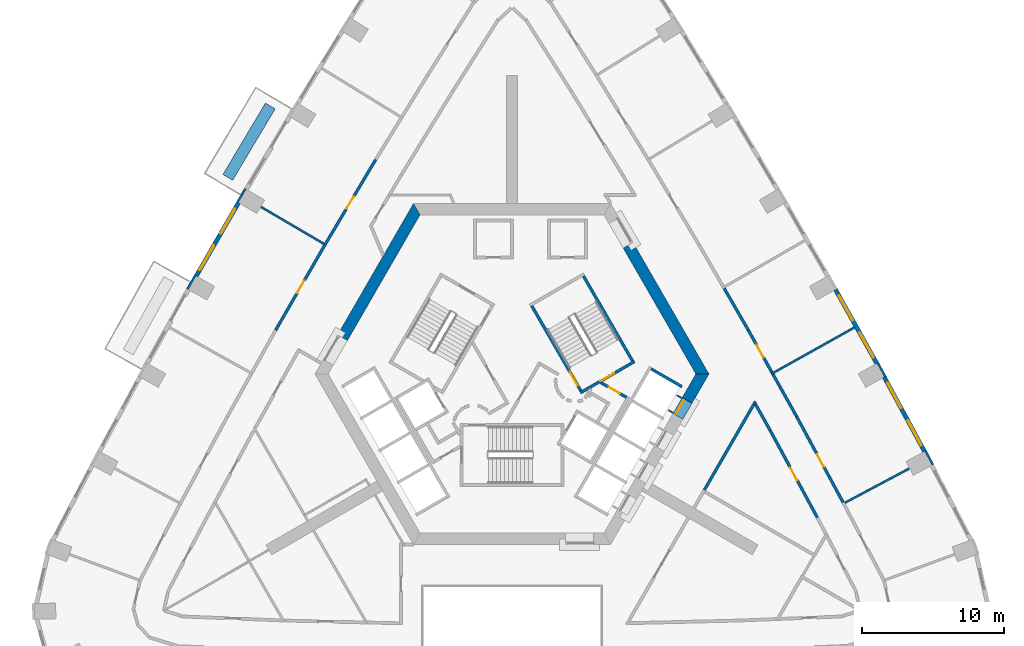
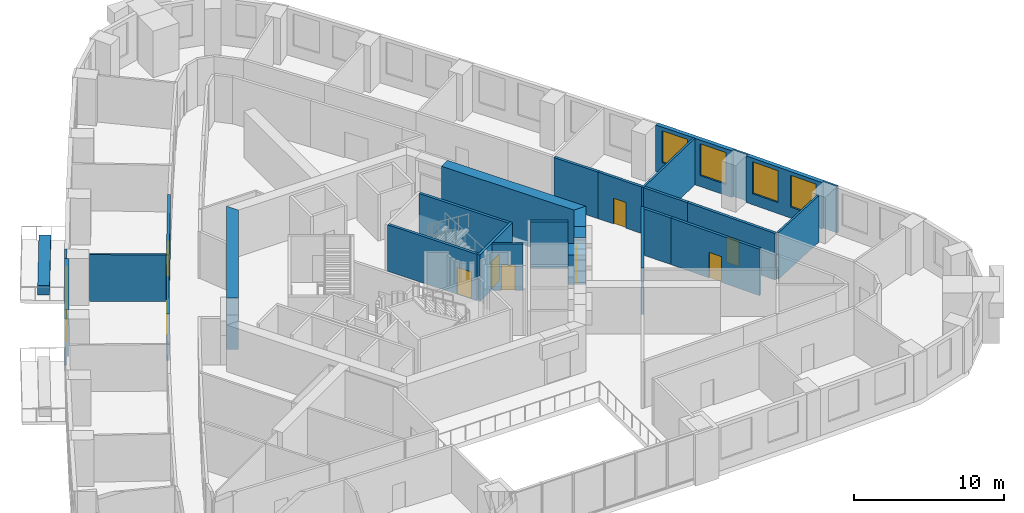
# One storey, part 8 of 14: 30 walls, 9 doors, 6 windows, 15 openings.
"""IFC4 building model written with IfcOpenShell, lengths in metres."""

from ifc_helpers import new_model, si_unit, direction, frame, frame_2d, origin, place, context, subcontext, project, spatial, polyline, rectangle, outline, extrude, material, layer, layer_set, type_object, element, fill, save


model = new_model("IFC4")

# Units and contexts
model_context = context("Model", 3, precision=1e-05, world=origin(), true_north=direction((0.0, 1.0)))
body_context = subcontext(model_context, "Body", "Model", "MODEL_VIEW")
ifc_project = project(units=[si_unit("LENGTHUNIT", "METRE"), si_unit("AREAUNIT", "SQUARE_METRE"), si_unit("VOLUMEUNIT", "CUBIC_METRE"), si_unit("PLANEANGLEUNIT", "RADIAN"), si_unit("MASSUNIT", "GRAM", prefix="KILO")], contexts=[model_context])

# Site, building, storey
site_placement = place(None, origin())
site = spatial("IfcSite", under=ifc_project, at=site_placement, CompositionType="ELEMENT")
building_placement = place(site_placement, origin())
building = spatial("IfcBuilding", under=site, at=building_placement, Name="Entoto Arch Interchange Tower", CompositionType="ELEMENT")
storey_placement = place(building_placement, frame((0.0, 0.0, 146.60009765625)))
storey = spatial("IfcBuildingStorey", under=building, at=storey_placement, Name="L32", CompositionType="ELEMENT", Elevation=146.60009765625)

# Walls
ifc_material_1 = material(Name="Concrete C50/60", Category="concrete")
ifc_layer_1 = layer(ifc_material_1, 0.800048828125)
ifc_layer_set_1 = layer_set([ifc_layer_1], Name="Concrete C50/60")
wall_type_1 = type_object("IfcWallType", Name="Core wall 800 C50/60", PredefinedType="SHEAR", material=ifc_layer_set_1)
wall_1_placement = place(storey_placement, frame((0.0, 0.0, -0.400146484375)))
element("IfcWall", 1, at=wall_1_placement, inside=storey, type_object=wall_type_1, Name="Core wall NE L32", PredefinedType="SHEAR", context=body_context, shape_type="SweptSolid", body=[
    extrude(outline(polyline([(8.51708984375, 11.748046875), (7.823974609375, 11.347900390625), (12.93310546875, 2.5), (13.85595703125, 2.5), (8.51708984375, 11.748046875)])), origin(), (0.0, 0.0, 1.0), 4.199951171875),
])
wall_2_placement = place(storey_placement, frame((0.0, 0.0, -0.400146484375)))
element("IfcWall", 2, at=wall_2_placement, inside=storey, type_object=wall_type_1, Name="Core wall NW L32", PredefinedType="SHEAR", context=body_context, shape_type="SweptSolid", body=[
    extrude(outline(polyline([(-12.26708984375, 5.251953125), (-11.574951171875, 4.85205078125), (-6.466064453125, 13.699951171875), (-6.927978515625, 14.5), (-12.26708984375, 5.251953125)])), origin(), (0.0, 0.0, 1.0), 4.199951171875),
])
wall_3_placement = place(storey_placement, frame((0.0, 0.0, -0.400146484375)))
element("IfcWall", 3, at=wall_3_placement, inside=storey, type_object=wall_type_1, Name="Core wall SE L32", PredefinedType="SHEAR", context=body_context, shape_type="SweptSolid", body=[
    extrude(outline(polyline([(11.97412109375, 0.840087890625), (12.6669921875, 0.43994140625), (13.85595703125, 2.5), (12.93310546875, 2.5), (11.97412109375, 0.840087890625)])), origin(), (0.0, 0.0, 1.0), 4.199951171875),
])
wall_4_placement = place(storey_placement, frame((0.0, 0.0, 3.599853515625)))
element("IfcWall", 4, at=wall_4_placement, inside=storey, type_object=wall_type_1, Name="Core wall lintel SE L32", PredefinedType="SHEAR", context=body_context, shape_type="SweptSolid", body=[
    extrude(outline(polyline([(12.6669921875, 0.43994140625), (11.97412109375, 0.840087890625), (11.323974609375, -0.285888671875), (12.01708984375, -0.68603515625), (12.6669921875, 0.43994140625)])), origin(), (0.0, 0.0, 1.0), 0.199951171875),
])

# Wall, opening, door
ifc_material_2 = material(Name="Concrete C40/50", Category="concrete")
ifc_layer_2 = layer(ifc_material_2, 1.199951171875)
ifc_layer_set_2 = layer_set([ifc_layer_2], Name="Concrete C40/50")
wall_type_2 = type_object("IfcWallType", Name="LIFT LANDING INFILL WALL", PredefinedType="STANDARD", material=ifc_layer_set_2)
wall_5_placement = place(storey_placement, frame((11.498046875, -0.385009765625, 0.0), z_axis=(0.0, 0.0, 1.0), x_axis=(0.500221244143, 0.865897630733, 0.0)))
wall_5 = element("IfcWall", 5, at=wall_5_placement, inside=storey, type_object=wall_type_2, Name="Lift landing infill wall LR8 L32", PredefinedType="STANDARD", context=body_context, shape_type="SweptSolid", body=[
    extrude(rectangle(XDim=1.29931640625, YDim=1.199951171875, at=frame_2d((0.649658203125, 0.0))), origin(), (0.0, 0.0, 1.0), 2.39990234375),
])
opening_1_placement = place(wall_5_placement, frame((0.10009765625, 0.0, 0.0)))
opening_1 = element("IfcOpeningElement", 6, at=opening_1_placement, cuts=wall_5, Name="Opening LD-LR8-L32", PredefinedType="OPENING", context=body_context, shape_type="SweptSolid", body=[
    extrude(rectangle(XDim=1.10009765625, YDim=2.300048828125, at=frame_2d((0.550048828125, 1.14990234375))), frame((0.0, 0.60986328125, 0.0), z_axis=(0.0, -1.0, 0.0), x_axis=(1.0, 0.0, 0.0)), (0.0, 0.0, 1.0), 1.219970703125),
])
ifc_material_3 = material(Name="Stainless steel 1.4301 panels", Category="steel")
door_type_1 = type_object("IfcDoorType", Name="LIFT LANDING DOOR LD2 1100x2300", OperationType="SLIDING_TO_LEFT", PredefinedType="DOOR", material=ifc_material_3)
door_1_placement = place(opening_1_placement, origin())
door_1 = element("IfcDoor", 7, at=door_1_placement, inside=storey, type_object=door_type_1, Name="Lift landing door LR8 L32", OperationType="SLIDING_TO_LEFT", OverallHeight=2.300048828125, OverallWidth=1.10009765625, PredefinedType="DOOR", context=body_context, shape_type="SweptSolid", body=[
    extrude(rectangle(XDim=1.10009765625, YDim=2.300048828125, at=frame_2d((0.550048828125, 1.14990234375))), frame((0.0, 0.02490234375, 0.0), z_axis=(0.0, -1.0, 0.0), x_axis=(1.0, 0.0, 0.0)), (0.0, 0.0, 1.0), 0.050048828125),
])
fill(opening_1, door_1)

# Walls
ifc_layer_3 = layer(ifc_material_2, 0.199951171875)
ifc_layer_set_3 = layer_set([ifc_layer_3], Name="Concrete C40/50")
wall_type_3 = type_object("IfcWallType", Name="LIFT SHAFT WALL 200", PredefinedType="STANDARD", material=ifc_layer_set_3)
wall_6_placement = place(storey_placement, frame((9.7880859375, 2.85302734375, 0.0), z_axis=(0.0, 0.0, 1.0), x_axis=(0.865998541277, -0.500046524342, 0.0)))
element("IfcWall", 8, at=wall_6_placement, inside=storey, type_object=wall_type_3, Name="Shaft wall SE3 cross 5", PredefinedType="STANDARD", context=body_context, shape_type="SweptSolid", body=[
    extrude(rectangle(XDim=2.499755859375, YDim=0.199951171875, at=frame_2d((1.25, 0.0))), origin(), (0.0, 0.0, 1.0), 3.7998046875),
])
ifc_material_4 = material(Name="Gypsum board partition on steel studs", Category="steel")
ifc_layer_4 = layer(ifc_material_4, 0.14990234375)
ifc_layer_set_4 = layer_set([ifc_layer_4], Name="Gypsum board partition on steel studs")
wall_type_4 = type_object("IfcWallType", Name="PARTITION 150", PredefinedType="PARTITIONING", material=ifc_layer_set_4)
wall_7_placement = place(storey_placement, frame((23.4169921875, -6.56005859375, 0.0), z_axis=(0.0, 0.0, 1.0), x_axis=(0.882784638588, 0.469777906967, 0.0)))
element("IfcWall", 9, at=wall_7_placement, inside=storey, type_object=wall_type_4, Name="wall:L32:p126", PredefinedType="PARTITIONING", context=body_context, shape_type="SweptSolid", body=[
    extrude(rectangle(XDim=5.13037109375, YDim=0.14990234375, at=frame_2d((2.565185546875, 0.0))), origin(), (0.0, 0.0, 1.0), 3.7998046875),
])
wall_8_placement = place(storey_placement, frame((18.23388671875, 2.4970703125, 0.0), z_axis=(0.0, 0.0, 1.0), x_axis=(0.872820235044, 0.4880418397, 0.0)))
element("IfcWall", 10, at=wall_8_placement, inside=storey, type_object=wall_type_4, Name="wall:L32:p127", PredefinedType="PARTITIONING", context=body_context, shape_type="SweptSolid", body=[
    extrude(rectangle(XDim=6.7001953125, YDim=0.14990234375, at=frame_2d((3.35009765625, 0.0))), origin(), (0.0, 0.0, 1.0), 3.7998046875),
])
wall_9_placement = place(storey_placement, frame((-13.23193359375, 11.656982421875, 0.0), z_axis=(0.0, 0.0, 1.0), x_axis=(-0.862663606034, 0.505778116197, 0.0)))
element("IfcWall", 11, at=wall_9_placement, inside=storey, type_object=wall_type_4, Name="wall:L32:p134", PredefinedType="PARTITIONING", context=body_context, shape_type="SweptSolid", body=[
    extrude(rectangle(XDim=5.130615234375, YDim=0.14990234375, at=frame_2d((2.5654296875, 0.0))), origin(), (0.0, 0.0, 1.0), 3.7998046875),
])

# Wall, opening, door
ifc_layer_5 = layer(ifc_material_4, 0.199951171875)
ifc_layer_set_5 = layer_set([ifc_layer_5], Name="Gypsum board partition on steel studs")
wall_type_5 = type_object("IfcWallType", Name="PARTITION 200", PredefinedType="PARTITIONING", material=ifc_layer_set_5)
wall_10_placement = place(storey_placement, frame((21.47509765625, -7.593994140625, 0.0), z_axis=(0.0, 0.0, 1.0), x_axis=(-0.475918691018, 0.879489283357, 0.0)))
wall_10 = element("IfcWall", 12, at=wall_10_placement, inside=storey, type_object=wall_type_5, Name="wall:L32:p016", PredefinedType="PARTITIONING", context=body_context, shape_type="SweptSolid", body=[
    extrude(rectangle(XDim=6.927978515625, YDim=0.199951171875, at=frame_2d((3.4638671875, 0.0))), origin(), (0.0, 0.0, 1.0), 3.7998046875),
])
opening_2_placement = place(wall_10_placement, frame((2.964111328125, 0.0, 0.0)))
opening_2 = element("IfcOpeningElement", 13, at=opening_2_placement, cuts=wall_10, Name="Opening L32-D20", PredefinedType="OPENING", context=body_context, shape_type="SweptSolid", body=[
    extrude(rectangle(XDim=1.0, YDim=2.10009765625, at=frame_2d((0.5, 1.050048828125))), frame((0.0, 0.10986328125, 0.0), z_axis=(0.0, -1.0, 0.0), x_axis=(1.0, 0.0, 0.0)), (0.0, 0.0, 1.0), 0.219970703125),
])
ifc_material_5 = material(Name="Timber door leaf in Steel S235 frame", Category="steel")
door_type_2 = type_object("IfcDoorType", Name="DOOR DS-10 1000x2100", OperationType="SINGLE_SWING_LEFT", PredefinedType="DOOR", material=ifc_material_5)
door_2_placement = place(opening_2_placement, origin())
door_2 = element("IfcDoor", 14, at=door_2_placement, inside=storey, type_object=door_type_2, Name="door:L32:20", OperationType="SINGLE_SWING_LEFT", OverallHeight=2.10009765625, OverallWidth=1.0, PredefinedType="DOOR", context=body_context, shape_type="SweptSolid", body=[
    extrude(rectangle(XDim=1.0, YDim=2.10009765625, at=frame_2d((0.5, 1.050048828125))), frame((0.0, 0.02490234375, 0.0), z_axis=(0.0, -1.0, 0.0), x_axis=(1.0, 0.0, 0.0)), (0.0, 0.0, 1.0), 0.050048828125),
])
fill(opening_2, door_2)

# Walls
wall_11_placement = place(storey_placement, frame((18.177978515625, -1.5009765625, 0.0), z_axis=(0.0, 0.0, 1.0), x_axis=(-0.487980809747, 0.872854357449, 0.0)))
element("IfcWall", 15, at=wall_11_placement, inside=storey, type_object=wall_type_5, Name="wall:L32:p017", PredefinedType="PARTITIONING", context=body_context, shape_type="SweptSolid", body=[
    extrude(rectangle(XDim=2.161865234375, YDim=0.199951171875, at=frame_2d((1.0810546875, 0.0))), origin(), (0.0, 0.0, 1.0), 3.7998046875),
])
wall_12_placement = place(storey_placement, frame((18.35791015625, 2.48095703125, 0.0), z_axis=(0.0, 0.0, 1.0), x_axis=(0.48792588674, -0.872885060617, 0.0)))
element("IfcWall", 16, at=wall_12_placement, inside=storey, type_object=wall_type_5, Name="wall:L32:p039", PredefinedType="PARTITIONING", context=body_context, shape_type="SweptSolid", body=[
    extrude(rectangle(XDim=3.402587890625, YDim=0.199951171875, at=frame_2d((1.701171875, 0.0))), origin(), (0.0, 0.0, 1.0), 3.7998046875),
])

# Wall, opening, door
wall_13_placement = place(storey_placement, frame((20.01806640625, -0.489013671875, 0.0), z_axis=(0.0, 0.0, 1.0), x_axis=(0.476025981828, -0.87943121654, 0.0)))
wall_13 = element("IfcWall", 17, at=wall_13_placement, inside=storey, type_object=wall_type_5, Name="wall:L32:p040", PredefinedType="PARTITIONING", context=body_context, shape_type="SweptSolid", body=[
    extrude(rectangle(XDim=6.8818359375, YDim=0.199951171875, at=frame_2d((3.44091796875, 0.0))), origin(), (0.0, 0.0, 1.0), 3.7998046875),
])
opening_3_placement = place(wall_13_placement, frame((3.01611328125, 0.0, 0.0)))
opening_3 = element("IfcOpeningElement", 18, at=opening_3_placement, cuts=wall_13, Name="Opening L32-D05", PredefinedType="OPENING", context=body_context, shape_type="SweptSolid", body=[
    extrude(rectangle(XDim=1.0, YDim=2.10009765625, at=frame_2d((0.5, 1.050048828125))), frame((0.0, 0.10986328125, 0.0), z_axis=(0.0, -1.0, 0.0), x_axis=(1.0, 0.0, 0.0)), (0.0, 0.0, 1.0), 0.219970703125),
])
door_3_placement = place(opening_3_placement, origin())
door_3 = element("IfcDoor", 19, at=door_3_placement, inside=storey, type_object=door_type_2, Name="door:L32:05", OperationType="SINGLE_SWING_LEFT", OverallHeight=2.10009765625, OverallWidth=1.0, PredefinedType="DOOR", context=body_context, shape_type="SweptSolid", body=[
    extrude(rectangle(XDim=1.0, YDim=2.10009765625, at=frame_2d((0.5, 1.050048828125))), frame((0.0, 0.02490234375, 0.0), z_axis=(0.0, -1.0, 0.0), x_axis=(1.0, 0.0, 0.0)), (0.0, 0.0, 1.0), 0.050048828125),
])
fill(opening_3, door_3)

# Wall
wall_14_placement = place(storey_placement, frame((14.922119140625, 8.529052734375, 0.0), z_axis=(0.0, 0.0, 1.0), x_axis=(0.500097109062, -0.865969330582, 0.0)))
element("IfcWall", 20, at=wall_14_placement, inside=storey, type_object=wall_type_5, Name="wall:L32:p041", PredefinedType="PARTITIONING", context=body_context, shape_type="SweptSolid", body=[
    extrude(rectangle(XDim=3.403076171875, YDim=0.199951171875, at=frame_2d((1.70166015625, 0.0))), origin(), (0.0, 0.0, 1.0), 3.7998046875),
])

# Wall, opening, door
wall_15_placement = place(storey_placement, frame((16.6240234375, 5.58203125, 0.0), z_axis=(0.0, 0.0, 1.0), x_axis=(0.487871212611, -0.872915620152, 0.0)))
wall_15 = element("IfcWall", 21, at=wall_15_placement, inside=storey, type_object=wall_type_5, Name="wall:L32:p042", PredefinedType="PARTITIONING", context=body_context, shape_type="SweptSolid", body=[
    extrude(rectangle(XDim=3.40234375, YDim=0.199951171875, at=frame_2d((1.701171875, 0.0))), origin(), (0.0, 0.0, 1.0), 3.7998046875),
])
opening_4_placement = place(wall_15_placement, frame((1.201904296875, 0.0, 0.0)))
opening_4 = element("IfcOpeningElement", 22, at=opening_4_placement, cuts=wall_15, Name="Opening L32-D06", PredefinedType="OPENING", context=body_context, shape_type="SweptSolid", body=[
    extrude(rectangle(XDim=1.0, YDim=2.10009765625, at=frame_2d((0.5, 1.050048828125))), frame((0.0, 0.10986328125, 0.0), z_axis=(0.0, -1.0, 0.0), x_axis=(1.0, 0.0, 0.0)), (0.0, 0.0, 1.0), 0.219970703125),
])
door_4_placement = place(opening_4_placement, origin())
door_4 = element("IfcDoor", 23, at=door_4_placement, inside=storey, type_object=door_type_2, Name="door:L32:06", OperationType="SINGLE_SWING_LEFT", OverallHeight=2.10009765625, OverallWidth=1.0, PredefinedType="DOOR", context=body_context, shape_type="SweptSolid", body=[
    extrude(rectangle(XDim=1.0, YDim=2.10009765625, at=frame_2d((0.5, 1.050048828125))), frame((0.0, 0.02490234375, 0.0), z_axis=(0.0, -1.0, 0.0), x_axis=(1.0, 0.0, 0.0)), (0.0, 0.0, 1.0), 0.050048828125),
])
fill(opening_4, door_4)

wall_16_placement = place(storey_placement, frame((-13.18408203125, 11.5419921875, 0.0), z_axis=(0.0, 0.0, 1.0), x_axis=(0.511847713534, 0.859076200433, 0.0)))
wall_16 = element("IfcWall", 24, at=wall_16_placement, inside=storey, type_object=wall_type_5, Name="wall:L32:p053", PredefinedType="PARTITIONING", context=body_context, shape_type="SweptSolid", body=[
    extrude(rectangle(XDim=7.02978515625, YDim=0.199951171875, at=frame_2d((3.514892578125, 0.0))), origin(), (0.0, 0.0, 1.0), 3.7998046875),
])
opening_5_placement = place(wall_16_placement, frame((3.014892578125, 0.0, 0.0)))
opening_5 = element("IfcOpeningElement", 25, at=opening_5_placement, cuts=wall_16, Name="Opening L32-D12", PredefinedType="OPENING", context=body_context, shape_type="SweptSolid", body=[
    extrude(rectangle(XDim=1.0, YDim=2.10009765625, at=frame_2d((0.5, 1.050048828125))), frame((0.0, 0.10986328125, 0.0), z_axis=(0.0, -1.0, 0.0), x_axis=(1.0, 0.0, 0.0)), (0.0, 0.0, 1.0), 0.219970703125),
])
door_5_placement = place(opening_5_placement, origin())
door_5 = element("IfcDoor", 26, at=door_5_placement, inside=storey, type_object=door_type_2, Name="door:L32:12", OperationType="SINGLE_SWING_RIGHT", OverallHeight=2.10009765625, OverallWidth=1.0, PredefinedType="DOOR", context=body_context, shape_type="SweptSolid", body=[
    extrude(rectangle(XDim=1.0, YDim=2.10009765625, at=frame_2d((0.5, 1.050048828125))), frame((0.0, 0.02490234375, 0.0), z_axis=(0.0, -1.0, 0.0), x_axis=(1.0, 0.0, 0.0)), (0.0, 0.0, 1.0), 0.050048828125),
])
fill(opening_5, door_5)

wall_17_placement = place(storey_placement, frame((-16.6240234375, 5.58203125, 0.0), z_axis=(0.0, 0.0, 1.0), x_axis=(0.499886250151, 0.866091067331, 0.0)))
wall_17 = element("IfcWall", 27, at=wall_17_placement, inside=storey, type_object=wall_type_5, Name="wall:L32:p056", PredefinedType="PARTITIONING", context=body_context, shape_type="SweptSolid", body=[
    extrude(rectangle(XDim=6.88134765625, YDim=0.199951171875, at=frame_2d((3.440673828125, 0.0))), origin(), (0.0, 0.0, 1.0), 3.7998046875),
])
opening_6_placement = place(wall_17_placement, frame((3.014892578125, 0.0, 0.0)))
opening_6 = element("IfcOpeningElement", 28, at=opening_6_placement, cuts=wall_17, Name="Opening L32-D13", PredefinedType="OPENING", context=body_context, shape_type="SweptSolid", body=[
    extrude(rectangle(XDim=1.0, YDim=2.10009765625, at=frame_2d((0.5, 1.050048828125))), frame((0.0, 0.10986328125, 0.0), z_axis=(0.0, -1.0, 0.0), x_axis=(1.0, 0.0, 0.0)), (0.0, 0.0, 1.0), 0.219970703125),
])
door_6_placement = place(opening_6_placement, origin())
door_6 = element("IfcDoor", 29, at=door_6_placement, inside=storey, type_object=door_type_2, Name="door:L32:13", OperationType="SINGLE_SWING_LEFT", OverallHeight=2.10009765625, OverallWidth=1.0, PredefinedType="DOOR", context=body_context, shape_type="SweptSolid", body=[
    extrude(rectangle(XDim=1.0, YDim=2.10009765625, at=frame_2d((0.5, 1.050048828125))), frame((0.0, 0.02490234375, 0.0), z_axis=(0.0, -1.0, 0.0), x_axis=(1.0, 0.0, 0.0)), (0.0, 0.0, 1.0), 0.050048828125),
])
fill(opening_6, door_6)

wall_18_placement = place(storey_placement, frame((6.25, 1.89404296875, 0.0), z_axis=(0.0, 0.0, 1.0), x_axis=(0.866043184279, -0.499969202016, 0.0)))
wall_18 = element("IfcWall", 30, at=wall_18_placement, inside=storey, type_object=wall_type_5, Name="wall:L32:p077", PredefinedType="PARTITIONING", context=body_context, shape_type="SweptSolid", body=[
    extrude(rectangle(XDim=2.084228515625, YDim=0.199951171875, at=frame_2d((1.0419921875, 0.0))), origin(), (0.0, 0.0, 1.0), 3.7998046875),
])
opening_7_placement = place(wall_18_placement, frame((0.64208984375, 0.0, 0.0)))
opening_7 = element("IfcOpeningElement", 31, at=opening_7_placement, cuts=wall_18, Name="Opening L32-D35", PredefinedType="OPENING", context=body_context, shape_type="SweptSolid", body=[
    extrude(rectangle(XDim=0.89990234375, YDim=2.10009765625, at=frame_2d((0.449951171875, 1.050048828125))), frame((0.0, 0.10986328125, 0.0), z_axis=(0.0, -1.0, 0.0), x_axis=(1.0, 0.0, 0.0)), (0.0, 0.0, 1.0), 0.219970703125),
])
door_type_3 = type_object("IfcDoorType", Name="DOOR DS-09 900x2100", OperationType="SINGLE_SWING_LEFT", PredefinedType="DOOR", material=ifc_material_5)
door_7_placement = place(opening_7_placement, origin())
door_7 = element("IfcDoor", 32, at=door_7_placement, inside=storey, type_object=door_type_3, Name="door:L32:35", OperationType="SINGLE_SWING_LEFT", OverallHeight=2.10009765625, OverallWidth=0.89990234375, PredefinedType="DOOR", context=body_context, shape_type="SweptSolid", body=[
    extrude(rectangle(XDim=0.89990234375, YDim=2.10009765625, at=frame_2d((0.449951171875, 1.050048828125))), frame((0.0, 0.02490234375, 0.0), z_axis=(0.0, -1.0, 0.0), x_axis=(1.0, 0.0, 0.0)), (0.0, 0.0, 1.0), 0.050048828125),
])
fill(opening_7, door_7)

# Walls
wall_19_placement = place(storey_placement, frame((17.1240234375, 0.56005859375, 0.0), z_axis=(0.0, 0.0, 1.0), x_axis=(-0.49996876383, -0.866043437245, 0.0)))
element("IfcWall", 33, at=wall_19_placement, inside=storey, type_object=wall_type_5, Name="wall:L32:p108", PredefinedType="PARTITIONING", context=body_context, shape_type="SweptSolid", body=[
    extrude(rectangle(XDim=7.1787109375, YDim=0.199951171875, at=frame_2d((3.58935546875, 0.0))), origin(), (0.0, 0.0, 1.0), 3.7998046875),
])
ifc_material_6 = material(Name="Board-marked precast concrete C50/60", Category="concrete")
ifc_layer_6 = layer(ifc_material_6, 0.800048828125)
ifc_layer_set_6 = layer_set([ifc_layer_6], Name="Board-marked precast concrete C50/60")
wall_type_6 = type_object("IfcWallType", Name="PLANTER RC 800 Hagenia abyssinica", PredefinedType="STANDARD", material=ifc_layer_set_6)
wall_20_placement = place(storey_placement, frame((-16.9990234375, 21.35498046875, 0.0), z_axis=(0.0, 0.0, 1.0), x_axis=(-0.511897568514, -0.859046494288, 0.0)))
element("IfcWall", 34, at=wall_20_placement, inside=storey, type_object=wall_type_6, Name="Planter NW-03 L32", PredefinedType="STANDARD", context=body_context, shape_type="SweptSolid", body=[
    extrude(rectangle(XDim=5.8505859375, YDim=0.800048828125, at=frame_2d((2.92529296875, 0.0))), origin(), (0.0, 0.0, 1.0), 0.7998046875),
])

# Wall, opening, door
ifc_layer_7 = layer(ifc_material_2, 0.199951171875)
ifc_layer_set_7 = layer_set([ifc_layer_7], Name="Concrete C40/50")
wall_type_7 = type_object("IfcWallType", Name="STAIR ENCLOSURE WALL 200", PredefinedType="STANDARD", material=ifc_layer_set_7)
wall_21_placement = place(storey_placement, frame((4.805908203125, 1.176025390625, 0.0), z_axis=(0.0, 0.0, 1.0), x_axis=(0.866059941101, 0.499940174841, 0.0)))
wall_21 = element("IfcWall", 35, at=wall_21_placement, inside=storey, type_object=wall_type_7, Name="Stair wall ST-NE near", PredefinedType="STANDARD", context=body_context, shape_type="SweptSolid", body=[
    extrude(rectangle(XDim=4.400390625, YDim=0.199951171875, at=frame_2d((2.2001953125, 0.0))), origin(), (0.0, 0.0, 1.0), 3.7998046875),
])
opening_8_placement = place(wall_21_placement, frame((1.64990234375, 0.0, 0.0)))
opening_8 = element("IfcOpeningElement", 36, at=opening_8_placement, cuts=wall_21, Name="Opening SD-ST-NE-L32-E", PredefinedType="OPENING", context=body_context, shape_type="SweptSolid", body=[
    extrude(rectangle(XDim=1.10009765625, YDim=2.199951171875, at=frame_2d((0.550048828125, 1.10009765625))), frame((0.0, 0.10986328125, 0.0), z_axis=(0.0, -1.0, 0.0), x_axis=(1.0, 0.0, 0.0)), (0.0, 0.0, 1.0), 0.219970703125),
])
ifc_material_7 = material(Name="Steel S235", Category="steel")
door_type_4 = type_object("IfcDoorType", Name="STAIR DOOR SD1 1100x2200", OperationType="SINGLE_SWING_LEFT", PredefinedType="DOOR", material=ifc_material_7)
door_8_placement = place(opening_8_placement, origin())
door_8 = element("IfcDoor", 37, at=door_8_placement, inside=storey, type_object=door_type_4, Name="Stair door ST-NE L32 end", OperationType="SINGLE_SWING_LEFT", OverallHeight=2.199951171875, OverallWidth=1.10009765625, PredefinedType="DOOR", context=body_context, shape_type="SweptSolid", body=[
    extrude(rectangle(XDim=1.10009765625, YDim=2.199951171875, at=frame_2d((0.550048828125, 1.10009765625))), frame((0.0, 0.02490234375, 0.0), z_axis=(0.0, -1.0, 0.0), x_axis=(1.0, 0.0, 0.0)), (0.0, 0.0, 1.0), 0.050048828125),
])
fill(opening_8, door_8)

wall_22_placement = place(storey_placement, frame((4.843017578125, 1.31201171875, 0.0), z_axis=(0.0, 0.0, 1.0), x_axis=(-0.499963383562, 0.866046543262, 0.0)))
wall_22 = element("IfcWall", 38, at=wall_22_placement, inside=storey, type_object=wall_type_7, Name="Stair wall ST-NE hall", PredefinedType="STANDARD", context=body_context, shape_type="SweptSolid", body=[
    extrude(rectangle(XDim=6.900390625, YDim=0.199951171875, at=frame_2d((3.4501953125, 0.0))), origin(), (0.0, 0.0, 1.0), 3.7998046875),
])
opening_9_placement = place(wall_22_placement, frame((0.449951171875, 0.0, 0.0)))
opening_9 = element("IfcOpeningElement", 39, at=opening_9_placement, cuts=wall_22, Name="Opening SD-ST-NE-L32", PredefinedType="OPENING", context=body_context, shape_type="SweptSolid", body=[
    extrude(rectangle(XDim=1.10009765625, YDim=2.199951171875, at=frame_2d((0.550048828125, 1.10009765625))), frame((0.0, 0.10986328125, 0.0), z_axis=(0.0, -1.0, 0.0), x_axis=(1.0, 0.0, 0.0)), (0.0, 0.0, 1.0), 0.219970703125),
])
door_9_placement = place(opening_9_placement, origin())
door_9 = element("IfcDoor", 40, at=door_9_placement, inside=storey, type_object=door_type_4, Name="Stair door ST-NE L32", OperationType="SINGLE_SWING_LEFT", OverallHeight=2.199951171875, OverallWidth=1.10009765625, PredefinedType="DOOR", context=body_context, shape_type="SweptSolid", body=[
    extrude(rectangle(XDim=1.10009765625, YDim=2.199951171875, at=frame_2d((0.550048828125, 1.10009765625))), frame((0.0, 0.02490234375, 0.0), z_axis=(0.0, -1.0, 0.0), x_axis=(1.0, 0.0, 0.0)), (0.0, 0.0, 1.0), 0.050048828125),
])
fill(opening_9, door_9)

# Wall
wall_23_placement = place(storey_placement, frame((8.47998046875, 3.412109375, 0.0), z_axis=(0.0, 0.0, 1.0), x_axis=(-0.499978703459, 0.866037698999, 0.0)))
element("IfcWall", 41, at=wall_23_placement, inside=storey, type_object=wall_type_7, Name="Stair wall ST-NE back", PredefinedType="STANDARD", context=body_context, shape_type="SweptSolid", body=[
    extrude(rectangle(XDim=6.900146484375, YDim=0.199951171875, at=frame_2d((3.4501953125, 0.0))), origin(), (0.0, 0.0, 1.0), 3.7998046875),
])

# Wall, openings, windows
ifc_material_8 = material(Name="Welded tuff (ignimbrite) cladding, warm buff", Category="masonry")
ifc_layer_8 = layer(ifc_material_8, 0.300048828125)
ifc_layer_set_8 = layer_set([ifc_layer_8], Name="Welded tuff (ignimbrite) cladding, warm buff")
wall_type_8 = type_object("IfcWallType", Name="STONE INFILL WALL 300", PredefinedType="STANDARD", material=ifc_layer_set_8)
wall_24_placement = place(storey_placement, frame((29.02587890625, -2.952880859375, 0.0), z_axis=(0.0, 0.0, 1.0), x_axis=(-0.475794135288, 0.87955667289, 0.0)))
wall_24 = element("IfcWall", 42, at=wall_24_placement, inside=storey, type_object=wall_type_8, Name="Facade wall NE-02 L32", PredefinedType="STANDARD", context=body_context, shape_type="SweptSolid", body=[
    extrude(rectangle(XDim=5.95166015625, YDim=0.300048828125, at=frame_2d((2.975830078125, 0.0))), origin(), (0.0, 0.0, 1.0), 3.7998046875),
])
opening_10_placement = place(wall_24_placement, frame((0.488037109375, 0.0, 0.89990234375)))
opening_10 = element("IfcOpeningElement", 43, at=opening_10_placement, cuts=wall_24, Name="Opening WO-C", PredefinedType="OPENING", context=body_context, shape_type="SweptSolid", body=[
    extrude(rectangle(XDim=2.0, YDim=2.60009765625, at=frame_2d((1.0, 1.300048828125))), frame((0.0, 0.16015625, 0.0), z_axis=(0.0, -1.0, 0.0), x_axis=(1.0, 0.0, 0.0)), (0.0, 0.0, 1.0), 0.320068359375),
])
opening_11_placement = place(wall_24_placement, frame((3.464111328125, 0.0, 0.89990234375)))
opening_11 = element("IfcOpeningElement", 44, at=opening_11_placement, cuts=wall_24, Name="Opening WO-C", PredefinedType="OPENING", context=body_context, shape_type="SweptSolid", body=[
    extrude(rectangle(XDim=2.0, YDim=2.60009765625, at=frame_2d((1.0, 1.300048828125))), frame((0.0, 0.16015625, 0.0), z_axis=(0.0, -1.0, 0.0), x_axis=(1.0, 0.0, 0.0)), (0.0, 0.0, 1.0), 0.320068359375),
])
ifc_material_9 = material(Name="Clear glass, low-e double glazed", Category="glass")
window_type = type_object("IfcWindowType", Name="WINDOW WO-C 2000x2600", PartitioningType="DOUBLE_PANEL_VERTICAL", PredefinedType="WINDOW", material=ifc_material_9)
window_1_placement = place(opening_10_placement, origin())
window_1 = element("IfcWindow", 45, at=window_1_placement, inside=storey, type_object=window_type, Name="Window WO-C NE-02 L32", OverallHeight=2.60009765625, OverallWidth=2.0, PartitioningType="SINGLE_PANEL", PredefinedType="WINDOW", context=body_context, shape_type="SweptSolid", body=[
    extrude(rectangle(XDim=2.0, YDim=2.60009765625, at=frame_2d((1.0, 1.300048828125))), frame((0.0, 0.030029296875, 0.0), z_axis=(0.0, -1.0, 0.0), x_axis=(1.0, 0.0, 0.0)), (0.0, 0.0, 1.0), 0.06005859375),
])
fill(opening_10, window_1)
window_2_placement = place(opening_11_placement, origin())
window_2 = element("IfcWindow", 46, at=window_2_placement, inside=storey, type_object=window_type, Name="Window WO-C NE-02 L32", OverallHeight=2.60009765625, OverallWidth=2.0, PartitioningType="SINGLE_PANEL", PredefinedType="WINDOW", context=body_context, shape_type="SweptSolid", body=[
    extrude(rectangle(XDim=2.0, YDim=2.60009765625, at=frame_2d((1.0, 1.300048828125))), frame((0.0, 0.030029296875, 0.0), z_axis=(0.0, -1.0, 0.0), x_axis=(1.0, 0.0, 0.0)), (0.0, 0.0, 1.0), 0.06005859375),
])
fill(opening_11, window_2)

wall_25_placement = place(storey_placement, frame((25.6650390625, 3.243896484375, 0.0), z_axis=(0.0, 0.0, 1.0), x_axis=(-0.488009846284, 0.872838123555, 0.0)))
wall_25 = element("IfcWall", 47, at=wall_25_placement, inside=storey, type_object=wall_type_8, Name="Facade wall NE-03 L32", PredefinedType="STANDARD", context=body_context, shape_type="SweptSolid", body=[
    extrude(rectangle(XDim=5.950927734375, YDim=0.300048828125, at=frame_2d((2.9755859375, 0.0))), origin(), (0.0, 0.0, 1.0), 3.7998046875),
])
opening_12_placement = place(wall_25_placement, frame((0.488037109375, 0.0, 0.89990234375)))
opening_12 = element("IfcOpeningElement", 48, at=opening_12_placement, cuts=wall_25, Name="Opening WO-C", PredefinedType="OPENING", context=body_context, shape_type="SweptSolid", body=[
    extrude(rectangle(XDim=2.0, YDim=2.60009765625, at=frame_2d((1.0, 1.300048828125))), frame((0.0, 0.16015625, 0.0), z_axis=(0.0, -1.0, 0.0), x_axis=(1.0, 0.0, 0.0)), (0.0, 0.0, 1.0), 0.320068359375),
])
opening_13_placement = place(wall_25_placement, frame((3.462890625, 0.0, 0.89990234375)))
opening_13 = element("IfcOpeningElement", 49, at=opening_13_placement, cuts=wall_25, Name="Opening WO-C", PredefinedType="OPENING", context=body_context, shape_type="SweptSolid", body=[
    extrude(rectangle(XDim=2.0, YDim=2.60009765625, at=frame_2d((1.0, 1.300048828125))), frame((0.0, 0.16015625, 0.0), z_axis=(0.0, -1.0, 0.0), x_axis=(1.0, 0.0, 0.0)), (0.0, 0.0, 1.0), 0.320068359375),
])
window_3_placement = place(opening_12_placement, origin())
window_3 = element("IfcWindow", 50, at=window_3_placement, inside=storey, type_object=window_type, Name="Window WO-C NE-03 L32", OverallHeight=2.60009765625, OverallWidth=2.0, PartitioningType="SINGLE_PANEL", PredefinedType="WINDOW", context=body_context, shape_type="SweptSolid", body=[
    extrude(rectangle(XDim=2.0, YDim=2.60009765625, at=frame_2d((1.0, 1.300048828125))), frame((0.0, 0.030029296875, 0.0), z_axis=(0.0, -1.0, 0.0), x_axis=(1.0, 0.0, 0.0)), (0.0, 0.0, 1.0), 0.06005859375),
])
fill(opening_12, window_3)
window_4_placement = place(opening_13_placement, origin())
window_4 = element("IfcWindow", 51, at=window_4_placement, inside=storey, type_object=window_type, Name="Window WO-C NE-03 L32", OverallHeight=2.60009765625, OverallWidth=2.0, PartitioningType="SINGLE_PANEL", PredefinedType="WINDOW", context=body_context, shape_type="SweptSolid", body=[
    extrude(rectangle(XDim=2.0, YDim=2.60009765625, at=frame_2d((1.0, 1.300048828125))), frame((0.0, 0.030029296875, 0.0), z_axis=(0.0, -1.0, 0.0), x_axis=(1.0, 0.0, 0.0)), (0.0, 0.0, 1.0), 0.06005859375),
])
fill(opening_13, window_4)

wall_26_placement = place(storey_placement, frame((-19.242919921875, 14.5458984375, 0.0), z_axis=(0.0, 0.0, 1.0), x_axis=(-0.49994263896, -0.866058518664, 0.0)))
wall_26 = element("IfcWall", 52, at=wall_26_placement, inside=storey, type_object=wall_type_8, Name="Facade wall NW-04 L32", PredefinedType="STANDARD", context=body_context, shape_type="SweptSolid", body=[
    extrude(rectangle(XDim=5.950927734375, YDim=0.300048828125, at=frame_2d((2.9755859375, 0.0))), origin(), (0.0, 0.0, 1.0), 3.7998046875),
])
opening_14_placement = place(wall_26_placement, frame((0.488037109375, 0.0, 0.89990234375)))
opening_14 = element("IfcOpeningElement", 53, at=opening_14_placement, cuts=wall_26, Name="Opening WO-C", PredefinedType="OPENING", context=body_context, shape_type="SweptSolid", body=[
    extrude(rectangle(XDim=2.0, YDim=2.60009765625, at=frame_2d((1.0, 1.300048828125))), frame((0.0, 0.16015625, 0.0), z_axis=(0.0, -1.0, 0.0), x_axis=(1.0, 0.0, 0.0)), (0.0, 0.0, 1.0), 0.320068359375),
])
opening_15_placement = place(wall_26_placement, frame((3.462890625, 0.0, 0.89990234375)))
opening_15 = element("IfcOpeningElement", 54, at=opening_15_placement, cuts=wall_26, Name="Opening WO-C", PredefinedType="OPENING", context=body_context, shape_type="SweptSolid", body=[
    extrude(rectangle(XDim=2.0, YDim=2.60009765625, at=frame_2d((1.0, 1.300048828125))), frame((0.0, 0.16015625, 0.0), z_axis=(0.0, -1.0, 0.0), x_axis=(1.0, 0.0, 0.0)), (0.0, 0.0, 1.0), 0.320068359375),
])
window_5_placement = place(opening_14_placement, origin())
window_5 = element("IfcWindow", 55, at=window_5_placement, inside=storey, type_object=window_type, Name="Window WO-C NW-04 L32", OverallHeight=2.60009765625, OverallWidth=2.0, PartitioningType="SINGLE_PANEL", PredefinedType="WINDOW", context=body_context, shape_type="SweptSolid", body=[
    extrude(rectangle(XDim=2.0, YDim=2.60009765625, at=frame_2d((1.0, 1.300048828125))), frame((0.0, 0.030029296875, 0.0), z_axis=(0.0, -1.0, 0.0), x_axis=(1.0, 0.0, 0.0)), (0.0, 0.0, 1.0), 0.06005859375),
])
fill(opening_14, window_5)
window_6_placement = place(opening_15_placement, origin())
window_6 = element("IfcWindow", 56, at=window_6_placement, inside=storey, type_object=window_type, Name="Window WO-C NW-04 L32", OverallHeight=2.60009765625, OverallWidth=2.0, PartitioningType="SINGLE_PANEL", PredefinedType="WINDOW", context=body_context, shape_type="SweptSolid", body=[
    extrude(rectangle(XDim=2.0, YDim=2.60009765625, at=frame_2d((1.0, 1.300048828125))), frame((0.0, 0.030029296875, 0.0), z_axis=(0.0, -1.0, 0.0), x_axis=(1.0, 0.0, 0.0)), (0.0, 0.0, 1.0), 0.06005859375),
])
fill(opening_15, window_6)

# Walls
ifc_layer_9 = layer(ifc_material_8, 0.14990234375)
ifc_layer_set_9 = layer_set([ifc_layer_9], Name="Welded tuff (ignimbrite) cladding, warm buff")
wall_type_9 = type_object("IfcWallType", Name="STONE PIER CLADDING 150", PredefinedType="STANDARD", material=ifc_layer_set_9)
for number, where, z_axis, x_axis, name in (
    (57, (29.612060546875, -3.885986328125, 0.0), (0.0, 0.0, 1.0), (-0.470058271093, 0.88263538439, 0.0), "Stone pier NE02 L32"),
    (58, (26.262939453125, 2.319091796875, 0.0), (0.0, 0.0, 1.0), (-0.481850587491, 0.876253394478, 0.0), "Stone pier NE03 L32"),
):
    element("IfcWall", number, at=place(storey_placement, frame(where, z_axis=z_axis, x_axis=x_axis)), inside=storey, type_object=wall_type_9, Name=name, PredefinedType="STANDARD", context=body_context, shape_type="SweptSolid", body=[
        extrude(rectangle(XDim=1.10009765625, YDim=0.14990234375, at=frame_2d((0.550048828125, 0.0))), origin(), (0.0, 0.0, 1.0), 3.7998046875),
    ])
wall_27_placement = place(storey_placement, frame((-18.7548828125, 15.532958984375, 0.0), z_axis=(0.0, 0.0, 1.0), x_axis=(-0.50667077411, -0.862139621327, 0.0)))
element("IfcWall", 59, at=wall_27_placement, inside=storey, type_object=wall_type_9, Name="Stone pier NW04 L32", PredefinedType="STANDARD", context=body_context, shape_type="SweptSolid", body=[
    extrude(rectangle(XDim=1.099609375, YDim=0.14990234375, at=frame_2d((0.5498046875, 0.0))), origin(), (0.0, 0.0, 1.0), 3.7998046875),
])
wall_28_placement = place(storey_placement, frame((-22.285888671875, 9.431884765625, 0.0), z_axis=(0.0, 0.0, 1.0), x_axis=(-0.494775760346, -0.869020682708, 0.0)))
element("IfcWall", 60, at=wall_28_placement, inside=storey, type_object=wall_type_9, Name="Stone pier NW05 L32", PredefinedType="STANDARD", context=body_context, shape_type="SweptSolid", body=[
    extrude(rectangle(XDim=1.099853515625, YDim=0.14990234375, at=frame_2d((0.5498046875, 0.0))), origin(), (0.0, 0.0, 1.0), 3.7998046875),
])

save(model, "model.ifc")
